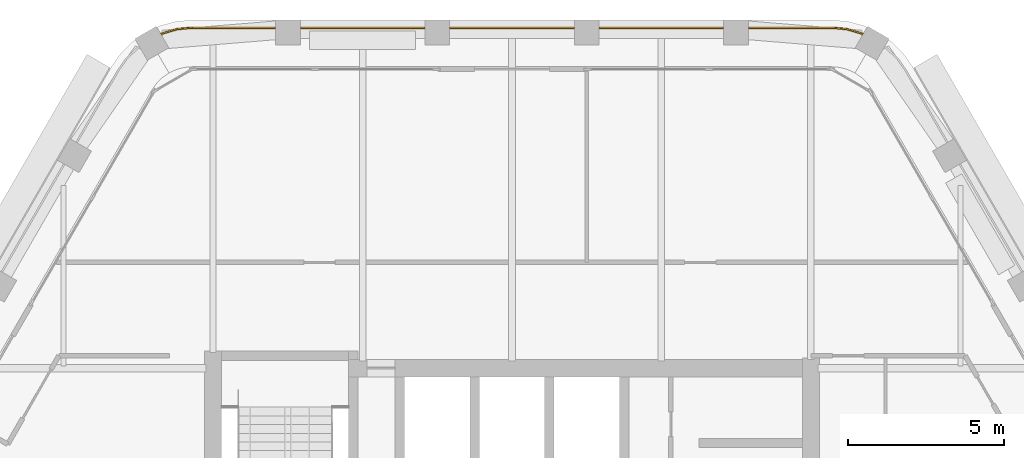
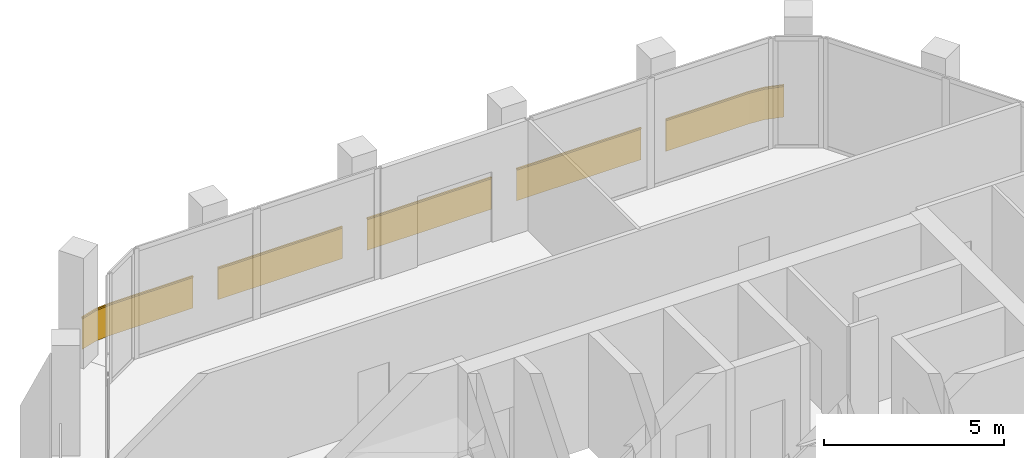
# One storey, part 13 of 13: 1 railing.
"""IFC4 building model written with IfcOpenShell, lengths in metres."""

import ifcopenshell
import ifcopenshell.guid

model = None  # the IFC model being written
_history = None  # IfcOwnerHistory: only IFC2X3 demands one
_inside = {}  # id of a spatial element -> (the spatial element, [elements in it])
_under = {}  # id of a project, library or spatial element -> (it, [spatial elements below it])
_declared = {}  # id of a project -> (the project, [libraries it declares])
_typed = {}  # id of a type object -> (the type object, [elements of that type])
_made_of = {}  # id of a material, layer set ... -> (it, [elements and type objects made of it])


def new_model(schema):
    """Start an empty IFC model of exactly this schema.

    Asked for "IFC4X3", IfcOpenShell would pick the latest addendum, in which some entities
    have other attributes; the version numbers below select the first issue.
    IFC2X3 requires an IfcOwnerHistory on every rooted entity: one is made here for all.
    """
    global model, _history
    if schema == "IFC4X3":
        model = ifcopenshell.file(schema_version=(4, 3, 0, 0))
    else:
        model = ifcopenshell.file(schema=schema)
    _inside.clear()
    _under.clear()
    _declared.clear()
    _typed.clear()
    _made_of.clear()
    _history = None
    if model.schema == "IFC2X3":
        org = make("IfcOrganization", Name="unknown")
        user = make(
            "IfcPersonAndOrganization",
            ThePerson=make("IfcPerson", FamilyName="unknown"),
            TheOrganization=org,
        )
        app = make(
            "IfcApplication",
            ApplicationDeveloper=org,
            Version="unknown",
            ApplicationFullName="unknown",
            ApplicationIdentifier="unknown",
        )
        _history = make(
            "IfcOwnerHistory",
            OwningUser=user,
            OwningApplication=app,
            ChangeAction="ADDED",
            CreationDate=0,
        )
    return model


def make(cls, **values):
    """One entity of the class cls with the attributes given. An attribute that is None is left unset."""
    return model.create_entity(
        cls, **{name: value for name, value in values.items() if value is not None}
    )


def rooted(cls, **values):
    """An entity with a GlobalId (a new one), such as an element, a storey or a relation."""
    return make(cls, GlobalId=ifcopenshell.guid.new(), OwnerHistory=_history, **values)


def si_unit(unit_type, name, prefix=None):
    """IfcSIUnit, for example si_unit("LENGTHUNIT", "METRE", prefix="MILLI")."""
    return make("IfcSIUnit", UnitType=unit_type, Prefix=prefix, Name=name)


def assignment(units):
    """IfcUnitAssignment: the units of a project."""
    return None if units is None else make("IfcUnitAssignment", Units=units)


def point(xyz):
    """IfcCartesianPoint."""
    return None if xyz is None else make("IfcCartesianPoint", Coordinates=xyz)


def direction(xyz):
    """IfcDirection."""
    return None if xyz is None else make("IfcDirection", DirectionRatios=xyz)


def frame(location, z_axis=None, x_axis=None):
    """IfcAxis2Placement3D, a coordinate frame: its origin and axes. An axis left out is left unset."""
    return make(
        "IfcAxis2Placement3D",
        Location=point(location),
        Axis=direction(z_axis),
        RefDirection=direction(x_axis),
    )


def frame_2d(location, x_axis=None):
    """IfcAxis2Placement2D, a coordinate frame in the plane: its origin and x axis."""
    return make(
        "IfcAxis2Placement2D", Location=point(location), RefDirection=direction(x_axis)
    )


def origin():
    """The frame at (0, 0, 0) with its axes left unset."""
    return frame((0.0, 0.0, 0.0))


def origin_2d():
    """The frame at (0, 0) in the plane with its x axis left unset."""
    return frame_2d((0.0, 0.0))


def place(relative_to, where):
    """IfcLocalPlacement: puts the frame where relative to a parent placement (None: the world)."""
    return make(
        "IfcLocalPlacement", PlacementRelTo=relative_to, RelativePlacement=where
    )


def context(
    kind, dimensions, precision=None, world=None, true_north=None, identifier=None
):
    """IfcGeometricRepresentationContext, for example the 3D "Model" context."""
    return make(
        "IfcGeometricRepresentationContext",
        ContextIdentifier=identifier,
        ContextType=kind,
        CoordinateSpaceDimension=dimensions,
        Precision=precision,
        WorldCoordinateSystem=world,
        TrueNorth=true_north,
    )


def subcontext(parent, identifier, kind, view, scale=None):
    """IfcGeometricRepresentationSubContext, for example "Body" below "Model"."""
    return make(
        "IfcGeometricRepresentationSubContext",
        ContextIdentifier=identifier,
        ContextType=kind,
        ParentContext=parent,
        TargetScale=scale,
        TargetView=view,
    )


def project(units=None, contexts=None):
    """IfcProject with its units and contexts."""
    return rooted(
        "IfcProject",
        Name="project",
        RepresentationContexts=contexts,
        UnitsInContext=assignment(units),
    )


def spatial(cls, under=None, at=None, **own):
    """A site, building, storey or space (cls), placed at a placement, below another one or the project."""
    s = rooted(cls, ObjectPlacement=at, **own)
    if under is not None:
        _under.setdefault(under.id(), (under, []))[1].append(s)
    return s


def profile(cls, at=None, kind="AREA", **sizes):
    """A parametric profile (cls). Its sizes go by their IFC names, for example OverallWidth=200.0."""
    return make(cls, ProfileType=kind, Position=at, **sizes)


def rectangle(**sizes):
    """IfcRectangleProfileDef."""
    return profile("IfcRectangleProfileDef", **sizes)


def extrude(swept, where, along, depth):
    """IfcExtrudedAreaSolid: the profile swept, set in the frame where, extruded along a direction by depth."""
    return make(
        "IfcExtrudedAreaSolid",
        SweptArea=swept,
        Position=where,
        ExtrudedDirection=direction(along),
        Depth=depth,
    )


def shape(context_of_items, identifier, shape_type, items):
    """IfcShapeRepresentation: the items that make up one representation, for example the "Body"."""
    return make(
        "IfcShapeRepresentation",
        ContextOfItems=context_of_items,
        RepresentationIdentifier=identifier,
        RepresentationType=shape_type,
        Items=items,
    )


def material(Name=None, Category=None):
    """IfcMaterial."""
    return make("IfcMaterial", Name=Name, Category=Category)


def made_of(thing, what):
    """Note that an element or type object is made of a material, layer set ...; save() writes the relation."""
    if what is not None:
        _made_of.setdefault(what.id(), (what, []))[1].append(thing)
    return thing


def type_object(cls, material=None, **own):
    """A type object (cls), such as IfcWallType, which elements share."""
    return made_of(rooted(cls, **own), material)


def element(
    cls,
    number,
    at=None,
    inside=None,
    cuts=None,
    type_object=None,
    material=None,
    context=None,
    identifier="Body",
    shape_type=None,
    held_by="IfcProductDefinitionShape",
    body=None,
    shapes=None,
    **own,
):
    """One element of the class cls, such as IfcWall. Its Tag is "e" and its number.

    at: its placement. inside: the storey or other place that contains it. cuts: it is an
    opening in that element (IfcRelVoidsElement). A single representation is given by context,
    identifier, shape_type and body (its items); several are given by shapes. held_by: the class
    of the entity that holds the representations. save() writes the other relations.
    """
    e = rooted(cls, Tag="e%d" % number, ObjectPlacement=at, **own)
    if body is not None:
        shapes = [shape(context, identifier, shape_type, body)]
    if shapes is not None:
        e.Representation = make(held_by, Representations=shapes)
    if inside is not None:
        _inside.setdefault(inside.id(), (inside, []))[1].append(e)
    if cuts is not None:
        rooted(
            "IfcRelVoidsElement", RelatingBuildingElement=cuts, RelatedOpeningElement=e
        )
    if type_object is not None:
        _typed.setdefault(type_object.id(), (type_object, []))[1].append(e)
    return made_of(e, material)


def aggregate(whole, parts):
    """IfcRelAggregates: a whole, such as a stair, and the parts it consists of."""
    return rooted("IfcRelAggregates", RelatingObject=whole, RelatedObjects=parts)


def save(model, path):
    """Write the relations noted so far, then the file.

    IfcRelAggregates (storeys below a building ...), IfcRelContainedInSpatialStructure (elements
    in a storey), IfcRelDefinesByType, IfcRelAssociatesMaterial and IfcRelDeclares: one each for
    every whole, place, type object, material and project.
    """
    for whole, parts in _under.values():
        aggregate(whole, parts)
    for where, things in _inside.values():
        rooted(
            "IfcRelContainedInSpatialStructure",
            RelatedElements=things,
            RelatingStructure=where,
        )
    for kind, things in _typed.values():
        rooted("IfcRelDefinesByType", RelatedObjects=things, RelatingType=kind)
    for what, things in _made_of.values():
        rooted("IfcRelAssociatesMaterial", RelatedObjects=things, RelatingMaterial=what)
    for by, libraries in _declared.values():
        rooted("IfcRelDeclares", RelatingContext=by, RelatedDefinitions=libraries)
    model.write(path)


model = new_model("IFC4")

# Units and contexts
model_context = context("Model", 3, precision=1e-05, world=origin(), true_north=direction((0.0, 1.0)))
body_context = subcontext(model_context, "Body", "Model", "MODEL_VIEW")
ifc_project = project(units=[si_unit("LENGTHUNIT", "METRE"), si_unit("AREAUNIT", "SQUARE_METRE"), si_unit("VOLUMEUNIT", "CUBIC_METRE"), si_unit("PLANEANGLEUNIT", "RADIAN"), si_unit("MASSUNIT", "GRAM", prefix="KILO")], contexts=[model_context])

# Site, building, storey
site_placement = place(None, origin())
site = spatial("IfcSite", under=ifc_project, at=site_placement, CompositionType="ELEMENT")
building_placement = place(site_placement, origin())
building = spatial("IfcBuilding", under=site, at=building_placement, Name="Kolab Exchange Tower", CompositionType="ELEMENT")
storey_placement = place(building_placement, frame((0.0, 0.0, 277.39990234375)))
storey = spatial("IfcBuildingStorey", under=building, at=storey_placement, Name="L62", CompositionType="ELEMENT", Elevation=277.39990234375)

# Railing
ifc_material = material(Name="Steel S235", Category="steel")
railing_type = type_object("IfcRailingType", Name="GUARD 1100 GLASS BALUSTRADE AND STEEL TOP RAIL", PredefinedType="GUARDRAIL", material=ifc_material)
railing_placement = place(storey_placement, frame((11.280517578125, 20.335205078125, 0.0)))
element("IfcRailing", 1, at=railing_placement, inside=storey, type_object=railing_type, Name="Guard", PredefinedType="GUARDRAIL", context=body_context, shape_type="SweptSolid", body=[
    extrude(rectangle(XDim=0.05, YDim=0.05, at=origin_2d()), frame((0.0, 0.0, 1.0751953125), z_axis=(-0.959212061764, 0.282687496304, 0.0), x_axis=(-0.282687496304, -0.959212061764, 0.0)), (0.0, 0.0, 1.0), 0.557861328125),
    extrude(rectangle(XDim=0.012, YDim=1.05009765625, at=frame_2d((0.0, 0.525146484375))), frame((0.0, 0.0, 0.0), z_axis=(-0.959212061764, 0.282687496304, 0.0), x_axis=(-0.282687496304, -0.959212061764, 0.0)), (0.0, 0.0, 1.0), 0.557861328125),
    extrude(rectangle(XDim=0.05, YDim=0.05, at=origin_2d()), frame((-0.53515625, 0.15771484375, 1.0751953125), z_axis=(-0.996196482496, 0.087135344505, 0.0), x_axis=(-0.087135344505, -0.996196482496, 0.0)), (0.0, 0.0, 1.0), 0.47900390625),
    extrude(rectangle(XDim=0.012, YDim=1.05009765625, at=frame_2d((0.0, 0.525146484375))), frame((-0.53515625, 0.15771484375, 0.0), z_axis=(-0.996196482496, 0.087135344505, 0.0), x_axis=(-0.087135344505, -0.996196482496, 0.0)), (0.0, 0.0, 1.0), 0.47900390625),
    extrude(rectangle(XDim=0.05, YDim=0.05, at=origin_2d()), frame((-1.012451171875, 0.199462890625, 1.0751953125), z_axis=(-1.0, 0.0, 0.0), x_axis=(0.0, -1.0, 0.0)), (0.0, 0.0, 1.0), 2.66796875),
    extrude(rectangle(XDim=0.012, YDim=1.05009765625, at=frame_2d((0.0, 0.525146484375))), frame((-1.012451171875, 0.199462890625, 0.0), z_axis=(-1.0, 0.0, 0.0), x_axis=(0.0, -1.0, 0.0)), (0.0, 0.0, 1.0), 2.66796875),
    extrude(rectangle(XDim=0.05, YDim=0.05, at=origin_2d()), frame((-4.48046875, 0.199462890625, 1.0751953125), z_axis=(-1.0, 0.0, 0.0), x_axis=(0.0, -1.0, 0.0)), (0.0, 0.0, 1.0), 4.0),
    extrude(rectangle(XDim=0.012, YDim=1.05009765625, at=frame_2d((0.0, 0.525146484375))), frame((-4.48046875, 0.199462890625, 0.0), z_axis=(-1.0, 0.0, 0.0), x_axis=(0.0, -1.0, 0.0)), (0.0, 0.0, 1.0), 4.0),
    extrude(rectangle(XDim=0.05, YDim=0.05, at=origin_2d()), frame((-9.280517578125, 0.199462890625, 1.0751953125), z_axis=(-1.0, 0.0, 0.0), x_axis=(0.0, -1.0, 0.0)), (0.0, 0.0, 1.0), 4.0),
    extrude(rectangle(XDim=0.012, YDim=1.05009765625, at=frame_2d((0.0, 0.525146484375))), frame((-9.280517578125, 0.199462890625, 0.0), z_axis=(-1.0, 0.0, 0.0), x_axis=(0.0, -1.0, 0.0)), (0.0, 0.0, 1.0), 4.0),
    extrude(rectangle(XDim=0.05, YDim=0.05, at=origin_2d()), frame((-14.08056640625, 0.199462890625, 1.0751953125), z_axis=(-1.0, 0.0, 0.0), x_axis=(0.0, -1.0, 0.0)), (0.0, 0.0, 1.0), 4.0),
    extrude(rectangle(XDim=0.012, YDim=1.05009765625, at=frame_2d((0.0, 0.525146484375))), frame((-14.08056640625, 0.199462890625, 0.0), z_axis=(-1.0, 0.0, 0.0), x_axis=(0.0, -1.0, 0.0)), (0.0, 0.0, 1.0), 4.0),
    extrude(rectangle(XDim=0.05, YDim=0.05, at=origin_2d()), frame((-18.880615234375, 0.199462890625, 1.0751953125), z_axis=(-1.0, 0.0, 0.0), x_axis=(0.0, -1.0, 0.0)), (0.0, 0.0, 1.0), 2.66796875),
    extrude(rectangle(XDim=0.012, YDim=1.05009765625, at=frame_2d((0.0, 0.525146484375))), frame((-18.880615234375, 0.199462890625, 0.0), z_axis=(-1.0, 0.0, 0.0), x_axis=(0.0, -1.0, 0.0)), (0.0, 0.0, 1.0), 2.66796875),
    extrude(rectangle(XDim=0.05, YDim=0.05, at=origin_2d()), frame((-21.548583984375, 0.199462890625, 1.0751953125), z_axis=(-0.996196482496, -0.087135344505, 0.0), x_axis=(0.087135344505, -0.996196482496, 0.0)), (0.0, 0.0, 1.0), 0.47900390625),
    extrude(rectangle(XDim=0.012, YDim=1.05009765625, at=frame_2d((0.0, 0.525146484375))), frame((-21.548583984375, 0.199462890625, 0.0), z_axis=(-0.996196482496, -0.087135344505, 0.0), x_axis=(0.087135344505, -0.996196482496, 0.0)), (0.0, 0.0, 1.0), 0.47900390625),
    extrude(rectangle(XDim=0.05, YDim=0.05, at=origin_2d()), frame((-22.02587890625, 0.15771484375, 1.0751953125), z_axis=(-0.959212061764, -0.282687496304, 0.0), x_axis=(0.282687496304, -0.959212061764, 0.0)), (0.0, 0.0, 1.0), 0.557861328125),
    extrude(rectangle(XDim=0.012, YDim=1.05009765625, at=frame_2d((0.0, 0.525146484375))), frame((-22.02587890625, 0.15771484375, 0.0), z_axis=(-0.959212061764, -0.282687496304, 0.0), x_axis=(0.282687496304, -0.959212061764, 0.0)), (0.0, 0.0, 1.0), 0.557861328125),
])

save(model, "model.ifc")
